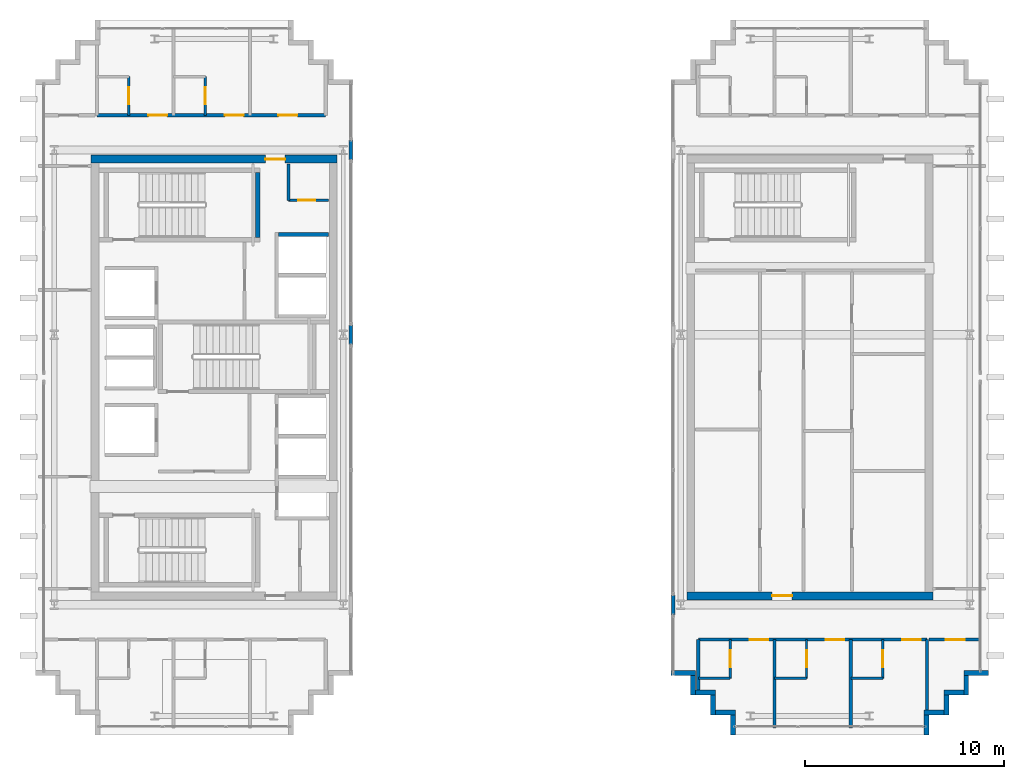
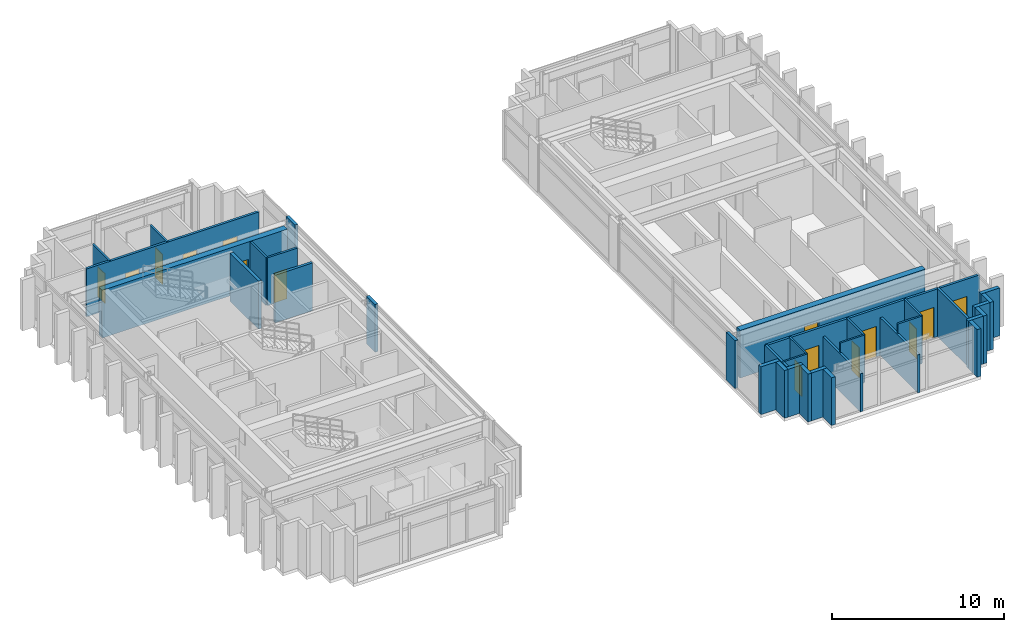
# One storey, part 21 of 25: 36 walls, 15 doors, 15 openings.
"""IFC4 building model written with IfcOpenShell, lengths in metres."""

from ifc_helpers import new_model, si_unit, direction, frame, frame_2d, origin, place, context, subcontext, project, spatial, rectangle, extrude, source, transform, mapped, material, layer, layer_set, type_object, element, fill, save


model = new_model("IFC4")

# Units and contexts
model_context = context("Model", 3, precision=1e-05, world=origin(), true_north=direction((0.0, 1.0)))
body_context = subcontext(model_context, "Body", "Model", "MODEL_VIEW")
ifc_project = project(units=[si_unit("LENGTHUNIT", "METRE"), si_unit("AREAUNIT", "SQUARE_METRE"), si_unit("VOLUMEUNIT", "CUBIC_METRE"), si_unit("PLANEANGLEUNIT", "RADIAN"), si_unit("MASSUNIT", "GRAM", prefix="KILO")], contexts=[model_context])

# Site, building, storey
site_placement = place(None, origin())
site = spatial("IfcSite", under=ifc_project, at=site_placement, CompositionType="ELEMENT")
building_placement = place(site_placement, origin())
building = spatial("IfcBuilding", under=site, at=building_placement, Name="Ocotamira Hotel", CompositionType="ELEMENT")
storey_placement = place(building_placement, frame((0.0, 0.0, 265.199951171875)))
storey = spatial("IfcBuildingStorey", under=building, at=storey_placement, Name="L67", CompositionType="ELEMENT", Elevation=265.199951171875)

# Wall, opening, door
ifc_material_1 = material(Name="Concrete C50/60", Category="concrete")
ifc_layer_1 = layer(ifc_material_1, 0.39990234375)
ifc_layer_set_1 = layer_set([ifc_layer_1], Name="Concrete C50/60")
wall_type_1 = type_object("IfcWallType", Name="WL-CORE-400", PredefinedType="SHEAR", material=ifc_layer_set_1)
wall_1_placement = place(storey_placement, frame((10.800048828125, 37.0, 0.0), z_axis=(0.0, 0.0, 1.0), x_axis=(1.0, 0.0, 0.0)))
wall_1 = element("IfcWall", 1, at=wall_1_placement, inside=storey, type_object=wall_type_1, Name="L67 Shear Core Wall WCORE-N", PredefinedType="SHEAR", context=body_context, shape_type="SweptSolid", body=[
    extrude(rectangle(XDim=12.39990234375, YDim=0.39990234375, at=frame_2d((6.199951171875, 0.0))), origin(), (0.0, 0.0, 1.0), 3.380126953125),
])
opening_1_placement = place(wall_1_placement, frame((8.780029296875, 0.0, 0.0)))
opening_1 = element("IfcOpeningElement", 2, at=opening_1_placement, cuts=wall_1, Name="Opening D-FR2", PredefinedType="OPENING", context=body_context, shape_type="SweptSolid", body=[
    extrude(rectangle(XDim=1.0, YDim=2.14990234375, at=frame_2d((0.5, 1.074951171875))), frame((0.0, 0.2099609375, 0.0), z_axis=(0.0, -1.0, 0.0), x_axis=(1.0, 0.0, 0.0)), (0.0, 0.0, 1.0), 0.419921875),
])
ifc_material_2 = material(Name="Fire-rated acoustic timber-veneer door", Category="wood")
door_type_1 = type_object("IfcDoorType", Name="DR-FIRE-1000", OperationType="NOTDEFINED", PredefinedType="DOOR", material=ifc_material_2)
shared_shape_1 = source(origin(), body_context, "Body", "SweptSolid", [
    extrude(rectangle(XDim=1.0, YDim=2.14990234375, at=frame_2d((0.5, 1.074951171875))), frame((0.0, 0.02490234375, 0.0), z_axis=(0.0, -1.0, 0.0), x_axis=(1.0, 0.0, 0.0)), (0.0, 0.0, 1.0), 0.050048828125),
])
door_1_placement = place(opening_1_placement, origin())
door_1 = element("IfcDoor", 3, at=door_1_placement, inside=storey, type_object=door_type_1, Name="L67 Door ID-L67-WLOB-N-D [ID-L67-WLOB-N-D]", OperationType="SINGLE_SWING_RIGHT", OverallHeight=2.14990234375, OverallWidth=1.0, PredefinedType="DOOR", context=body_context, shape_type="MappedRepresentation", body=[
    mapped(shared_shape_1, transform((0.0, 0.0, 0.0), scale=1.0)),
])
fill(opening_1, door_1)

wall_2_placement = place(storey_placement, frame((40.800048828125, 15.0, 0.0), z_axis=(0.0, 0.0, 1.0), x_axis=(1.0, 0.0, 0.0)))
wall_2 = element("IfcWall", 4, at=wall_2_placement, inside=storey, type_object=wall_type_1, Name="L67 Shear Core Wall ECORE-S", PredefinedType="SHEAR", context=body_context, shape_type="SweptSolid", body=[
    extrude(rectangle(XDim=12.39990234375, YDim=0.39990234375, at=frame_2d((6.199951171875, 0.0))), origin(), (0.0, 0.0, 1.0), 3.380126953125),
])
opening_2_placement = place(wall_2_placement, frame((4.300048828125, 0.0, 0.0)))
opening_2 = element("IfcOpeningElement", 5, at=opening_2_placement, cuts=wall_2, Name="Opening D-FR2", PredefinedType="OPENING", context=body_context, shape_type="SweptSolid", body=[
    extrude(rectangle(XDim=1.0, YDim=2.14990234375, at=frame_2d((0.5, 1.074951171875))), frame((0.0, 0.2099609375, 0.0), z_axis=(0.0, -1.0, 0.0), x_axis=(1.0, 0.0, 0.0)), (0.0, 0.0, 1.0), 0.419921875),
])
door_2_placement = place(opening_2_placement, origin())
door_2 = element("IfcDoor", 6, at=door_2_placement, inside=storey, type_object=door_type_1, Name="L67 Door ID-L67-ELOB-S-D [ID-L67-ELOB-S-D]", OperationType="SINGLE_SWING_RIGHT", OverallHeight=2.14990234375, OverallWidth=1.0, PredefinedType="DOOR", context=body_context, shape_type="MappedRepresentation", body=[
    mapped(shared_shape_1, transform((0.0, 0.0, 0.0), scale=1.0)),
])
fill(opening_2, door_2)

# Walls
ifc_material_3 = material(Name="Precast concrete C45/55", Category="concrete")
ifc_layer_2 = layer(ifc_material_3, 0.25)
ifc_layer_set_2 = layer_set([ifc_layer_2], Name="Precast concrete C45/55")
wall_type_2 = type_object("IfcWallType", Name="WL-EXT-SER-250", PredefinedType="SOLIDWALL", material=ifc_layer_set_2)
for number, where, z_axis, x_axis, name in (
    (7, (52.875, 8.0, 0.0), (0.0, 0.0, 1.0), (0.0, 1.0, 0.0), "L67 -E Serrated Corner Wall 01"),
    (8, (52.75, 9.125, 0.0), (0.0, 0.0, 1.0), (1.0, 0.0, 0.0), "L67 -E Serrated Corner Wall 02"),
    (9, (53.875, 9.0, 0.0), (0.0, 0.0, 1.0), (0.0, 1.0, 0.0), "L67 -E Serrated Corner Wall 03"),
    (10, (53.75, 10.125, 0.0), (0.0, 0.0, 1.0), (1.0, 0.0, 0.0), "L67 -E Serrated Corner Wall 04"),
    (11, (54.875, 10.0, 0.0), (0.0, 0.0, 1.0), (0.0, 1.0, 0.0), "L67 -E Serrated Corner Wall 05"),
):
    element("IfcWall", number, at=place(storey_placement, frame(where, z_axis=z_axis, x_axis=x_axis)), inside=storey, type_object=wall_type_2, Name=name, PredefinedType="SOLIDWALL", context=body_context, shape_type="SweptSolid", body=[
        extrude(rectangle(XDim=1.0, YDim=0.25, at=frame_2d((0.5, 0.0))), origin(), (0.0, 0.0, 1.0), 3.380126953125),
    ])
for number, where, z_axis, x_axis, name in (
    (12, (54.75, 11.125, 0.0), (0.0, 0.0, 1.0), (1.0, 0.0, 0.0), "L67 -E Serrated Corner Wall 06"),
    (13, (40.0, 11.125, 0.0), (0.0, 0.0, 1.0), (1.0, 0.0, 0.0), "L67 -E Serrated Corner Wall 19"),
):
    element("IfcWall", number, at=place(storey_placement, frame(where, z_axis=z_axis, x_axis=x_axis)), inside=storey, type_object=wall_type_2, Name=name, PredefinedType="SOLIDWALL", context=body_context, shape_type="SweptSolid", body=[
        extrude(rectangle(XDim=1.25, YDim=0.25, at=frame_2d((0.625, 0.0))), origin(), (0.0, 0.0, 1.0), 3.380126953125),
    ])
for number, where, z_axis, x_axis, name in (
    (14, (41.125, 11.0, 0.0), (0.0, 0.0, 1.0), (0.0, -1.0, 0.0), "L67 -E Serrated Corner Wall 20"),
    (15, (41.25, 10.125, 0.0), (0.0, 0.0, 1.0), (1.0, 0.0, 0.0), "L67 -E Serrated Corner Wall 21"),
    (16, (42.125, 10.0, 0.0), (0.0, 0.0, 1.0), (0.0, -1.0, 0.0), "L67 -E Serrated Corner Wall 22"),
    (17, (42.25, 9.125, 0.0), (0.0, 0.0, 1.0), (1.0, 0.0, 0.0), "L67 -E Serrated Corner Wall 23"),
    (18, (43.125, 9.0, 0.0), (0.0, 0.0, 1.0), (0.0, -1.0, 0.0), "L67 -E Serrated Corner Wall 24"),
):
    element("IfcWall", number, at=place(storey_placement, frame(where, z_axis=z_axis, x_axis=x_axis)), inside=storey, type_object=wall_type_2, Name=name, PredefinedType="SOLIDWALL", context=body_context, shape_type="SweptSolid", body=[
        extrude(rectangle(XDim=1.0, YDim=0.25, at=frame_2d((0.5, 0.0))), origin(), (0.0, 0.0, 1.0), 3.380126953125),
    ])

# Wall, openings, doors
ifc_material_4 = material(Name="Acoustic double-layer fire gypsum board partition", Category="gypsum")
ifc_layer_3 = layer(ifc_material_4, 0.159912109375)
ifc_layer_set_3 = layer_set([ifc_layer_3], Name="Acoustic double-layer fire gypsum board partition")
wall_type_3 = type_object("IfcWallType", Name="WL-FIRE-160", PredefinedType="PARTITIONING", material=ifc_layer_set_3)
wall_3_placement = place(storey_placement, frame((11.10009765625, 39.199951171875, 0.0), z_axis=(0.0, 0.0, 1.0), x_axis=(1.0, 0.0, 0.0)))
wall_3 = element("IfcWall", 19, at=wall_3_placement, inside=storey, type_object=wall_type_3, Name="L67 Interior Wall PW-L67-SPW2N-CORRW", PredefinedType="PARTITIONING", context=body_context, shape_type="SweptSolid", body=[
    extrude(rectangle(XDim=11.52001953125, YDim=0.159912109375, at=frame_2d((5.760009765625, 0.0))), origin(), (0.0, 0.0, 1.0), 3.380126953125),
])
opening_3_placement = place(wall_3_placement, frame((2.590087890625, 0.0, 0.0)))
opening_3 = element("IfcOpeningElement", 20, at=opening_3_placement, cuts=wall_3, Name="Opening D-GR1", PredefinedType="OPENING", context=body_context, shape_type="SweptSolid", body=[
    extrude(rectangle(XDim=0.93994140625, YDim=2.14990234375, at=frame_2d((0.469970703125, 1.074951171875))), frame((0.0, 0.08984375, 0.0), z_axis=(0.0, -1.0, 0.0), x_axis=(1.0, 0.0, 0.0)), (0.0, 0.0, 1.0), 0.179931640625),
])
opening_4_placement = place(wall_3_placement, frame((6.43994140625, 0.0, 0.0)))
opening_4 = element("IfcOpeningElement", 21, at=opening_4_placement, cuts=wall_3, Name="Opening D-GR1", PredefinedType="OPENING", context=body_context, shape_type="SweptSolid", body=[
    extrude(rectangle(XDim=0.93994140625, YDim=2.14990234375, at=frame_2d((0.469970703125, 1.074951171875))), frame((0.0, 0.08984375, 0.0), z_axis=(0.0, -1.0, 0.0), x_axis=(1.0, 0.0, 0.0)), (0.0, 0.0, 1.0), 0.179931640625),
])
opening_5_placement = place(wall_3_placement, frame((9.1298828125, 0.0, 0.0)))
opening_5 = element("IfcOpeningElement", 22, at=opening_5_placement, cuts=wall_3, Name="Opening D-SV4", PredefinedType="OPENING", context=body_context, shape_type="SweptSolid", body=[
    extrude(rectangle(XDim=0.9599609375, YDim=2.14990234375, at=frame_2d((0.47998046875, 1.074951171875))), frame((0.0, 0.08984375, 0.0), z_axis=(0.0, -1.0, 0.0), x_axis=(1.0, 0.0, 0.0)), (0.0, 0.0, 1.0), 0.179931640625),
])
ifc_material_5 = material(Name="Fire-rated accessible walnut salon door", Category="wood")
door_type_2 = type_object("IfcDoorType", Name="DR-SERV-960", OperationType="NOTDEFINED", PredefinedType="DOOR", material=ifc_material_5)
shared_shape_2 = source(origin(), body_context, "Body", "SweptSolid", [
    extrude(rectangle(XDim=0.9599609375, YDim=2.14990234375, at=frame_2d((0.47998046875, 1.074951171875))), frame((0.0, 0.02490234375, 0.0), z_axis=(0.0, -1.0, 0.0), x_axis=(1.0, 0.0, 0.0)), (0.0, 0.0, 1.0), 0.050048828125),
])
door_3_placement = place(opening_5_placement, origin())
door_3 = element("IfcDoor", 23, at=door_3_placement, inside=storey, type_object=door_type_2, Name="L67 Door ID-L67-SPW2N-AMD3 [ID-L67-SPW2N-AMD3]", OperationType="SINGLE_SWING_LEFT", OverallHeight=2.14990234375, OverallWidth=0.9599609375, PredefinedType="DOOR", context=body_context, shape_type="MappedRepresentation", body=[
    mapped(shared_shape_2, transform((0.0, 0.0, 0.0), scale=1.0)),
])
fill(opening_5, door_3)
ifc_material_6 = material(Name="Solid-core walnut suite entrance fire door", Category="wood")
door_type_3 = type_object("IfcDoorType", Name="DR-GUEST-940", OperationType="NOTDEFINED", PredefinedType="DOOR", material=ifc_material_6)
shared_shape_3 = source(origin(), body_context, "Body", "SweptSolid", [
    extrude(rectangle(XDim=0.93994140625, YDim=2.14990234375, at=frame_2d((0.469970703125, 1.074951171875))), frame((0.0, 0.02490234375, 0.0), z_axis=(0.0, -1.0, 0.0), x_axis=(1.0, 0.0, 0.0)), (0.0, 0.0, 1.0), 0.050048828125),
])
door_4_placement = place(opening_3_placement, origin())
door_4 = element("IfcDoor", 24, at=door_4_placement, inside=storey, type_object=door_type_3, Name="L67 Door ID-L67-SPW2N-RMD1 [ID-L67-SPW2N-RMD1]", OperationType="SINGLE_SWING_LEFT", OverallHeight=2.14990234375, OverallWidth=0.93994140625, PredefinedType="DOOR", context=body_context, shape_type="MappedRepresentation", body=[
    mapped(shared_shape_3, transform((0.0, 0.0, 0.0), scale=1.0)),
])
fill(opening_3, door_4)
door_5_placement = place(opening_4_placement, origin())
door_5 = element("IfcDoor", 25, at=door_5_placement, inside=storey, type_object=door_type_3, Name="L67 Door ID-L67-SPW2N-RMD2 [ID-L67-SPW2N-RMD2]", OperationType="SINGLE_SWING_RIGHT", OverallHeight=2.14990234375, OverallWidth=0.93994140625, PredefinedType="DOOR", context=body_context, shape_type="MappedRepresentation", body=[
    mapped(shared_shape_3, transform((0.0, 0.0, 0.0), scale=1.0)),
])
fill(opening_4, door_5)

wall_4_placement = place(storey_placement, frame((41.3798828125, 12.800048828125, 0.0), z_axis=(0.0, 0.0, 1.0), x_axis=(1.0, 0.0, 0.0)))
wall_4 = element("IfcWall", 26, at=wall_4_placement, inside=storey, type_object=wall_type_3, Name="L67 Interior Wall PW-L67-SPE2S-CORRW", PredefinedType="PARTITIONING", context=body_context, shape_type="SweptSolid", body=[
    extrude(rectangle(XDim=11.52001953125, YDim=0.159912109375, at=frame_2d((5.760009765625, 0.0))), origin(), (0.0, 0.0, 1.0), 3.380126953125),
])
opening_6_placement = place(wall_4_placement, frame((2.580078125, 0.0, 0.0)))
opening_6 = element("IfcOpeningElement", 27, at=opening_6_placement, cuts=wall_4, Name="Opening D-GR1", PredefinedType="OPENING", context=body_context, shape_type="SweptSolid", body=[
    extrude(rectangle(XDim=0.93994140625, YDim=2.14990234375, at=frame_2d((0.469970703125, 1.074951171875))), frame((0.0, 0.08984375, 0.0), z_axis=(0.0, -1.0, 0.0), x_axis=(1.0, 0.0, 0.0)), (0.0, 0.0, 1.0), 0.179931640625),
])
opening_7_placement = place(wall_4_placement, frame((6.419921875, 0.0, 0.0)))
opening_7 = element("IfcOpeningElement", 28, at=opening_7_placement, cuts=wall_4, Name="Opening D-GR1", PredefinedType="OPENING", context=body_context, shape_type="SweptSolid", body=[
    extrude(rectangle(XDim=0.93994140625, YDim=2.14990234375, at=frame_2d((0.469970703125, 1.074951171875))), frame((0.0, 0.08984375, 0.0), z_axis=(0.0, -1.0, 0.0), x_axis=(1.0, 0.0, 0.0)), (0.0, 0.0, 1.0), 0.179931640625),
])
opening_8_placement = place(wall_4_placement, frame((10.260009765625, 0.0, 0.0)))
opening_8 = element("IfcOpeningElement", 29, at=opening_8_placement, cuts=wall_4, Name="Opening D-GR1", PredefinedType="OPENING", context=body_context, shape_type="SweptSolid", body=[
    extrude(rectangle(XDim=0.93994140625, YDim=2.14990234375, at=frame_2d((0.469970703125, 1.074951171875))), frame((0.0, 0.08984375, 0.0), z_axis=(0.0, -1.0, 0.0), x_axis=(1.0, 0.0, 0.0)), (0.0, 0.0, 1.0), 0.179931640625),
])
door_6_placement = place(opening_6_placement, origin())
door_6 = element("IfcDoor", 30, at=door_6_placement, inside=storey, type_object=door_type_3, Name="L67 Door ID-L67-SPE2S-RMD1 [ID-L67-SPE2S-RMD1]", OperationType="SINGLE_SWING_LEFT", OverallHeight=2.14990234375, OverallWidth=0.93994140625, PredefinedType="DOOR", context=body_context, shape_type="MappedRepresentation", body=[
    mapped(shared_shape_3, transform((0.0, 0.0, 0.0), scale=1.0)),
])
fill(opening_6, door_6)
door_7_placement = place(opening_7_placement, origin())
door_7 = element("IfcDoor", 31, at=door_7_placement, inside=storey, type_object=door_type_3, Name="L67 Door ID-L67-SPE2S-RMD2 [ID-L67-SPE2S-RMD2]", OperationType="SINGLE_SWING_RIGHT", OverallHeight=2.14990234375, OverallWidth=0.93994140625, PredefinedType="DOOR", context=body_context, shape_type="MappedRepresentation", body=[
    mapped(shared_shape_3, transform((0.0, 0.0, 0.0), scale=1.0)),
])
fill(opening_7, door_7)
door_8_placement = place(opening_8_placement, origin())
door_8 = element("IfcDoor", 32, at=door_8_placement, inside=storey, type_object=door_type_3, Name="L67 Door ID-L67-SPE2S-RMD3 [ID-L67-SPE2S-RMD3]", OperationType="SINGLE_SWING_LEFT", OverallHeight=2.14990234375, OverallWidth=0.93994140625, PredefinedType="DOOR", context=body_context, shape_type="MappedRepresentation", body=[
    mapped(shared_shape_3, transform((0.0, 0.0, 0.0), scale=1.0)),
])
fill(opening_8, door_8)

# Wall, opening, door
wall_5_placement = place(storey_placement, frame((53.0, 12.800048828125, 0.0), z_axis=(0.0, 0.0, 1.0), x_axis=(1.0, 0.0, 0.0)))
wall_5 = element("IfcWall", 33, at=wall_5_placement, inside=storey, type_object=wall_type_3, Name="L67 Interior Wall PW-L67-SPCSE2-CW", PredefinedType="PARTITIONING", context=body_context, shape_type="SweptSolid", body=[
    extrude(rectangle(XDim=2.64990234375, YDim=0.159912109375, at=frame_2d((1.324951171875, 0.0))), origin(), (0.0, 0.0, 1.0), 3.380126953125),
])
opening_9_placement = place(wall_5_placement, frame((0.844970703125, 0.0, 0.0)))
opening_9 = element("IfcOpeningElement", 34, at=opening_9_placement, cuts=wall_5, Name="Opening D-SV4", PredefinedType="OPENING", context=body_context, shape_type="SweptSolid", body=[
    extrude(rectangle(XDim=0.9599609375, YDim=2.14990234375, at=frame_2d((0.47998046875, 1.074951171875))), frame((0.0, 0.08984375, 0.0), z_axis=(0.0, -1.0, 0.0), x_axis=(1.0, 0.0, 0.0)), (0.0, 0.0, 1.0), 0.179931640625),
])
door_9_placement = place(opening_9_placement, origin())
door_9 = element("IfcDoor", 35, at=door_9_placement, inside=storey, type_object=door_type_2, Name="L67 Door ID-L67-SPCSE2-CD [ID-L67-SPCSE2-CD]", OperationType="SINGLE_SWING_LEFT", OverallHeight=2.14990234375, OverallWidth=0.9599609375, PredefinedType="DOOR", context=body_context, shape_type="MappedRepresentation", body=[
    mapped(shared_shape_2, transform((0.0, 0.0, 0.0), scale=1.0)),
])
fill(opening_9, door_9)

# Walls
ifc_layer_4 = layer(ifc_material_3, 0.219970703125)
ifc_layer_set_4 = layer_set([ifc_layer_4], Name="Precast concrete C45/55")
wall_type_4 = type_object("IfcWallType", Name="WL-PARA-220", PredefinedType="PARAPET", material=ifc_layer_set_4)
for number, where, z_axis, x_axis, name in (
    (36, (23.8798828125, 27.64990234375, 0.0), (0.0, 0.0, 1.0), (0.0, 1.0, 0.0), "L67 Split-Wing Column Spandrel Closure W2"),
    (37, (23.8798828125, 36.949951171875, 0.0), (0.0, 0.0, 1.0), (0.0, 1.0, 0.0), "L67 Split-Wing Column Spandrel Closure W3"),
    (38, (40.1201171875, 14.050048828125, 0.0), (0.0, 0.0, 1.0), (0.0, 1.0, 0.0), "L67 Split-Wing Column Spandrel Closure E1"),
):
    element("IfcWall", number, at=place(storey_placement, frame(where, z_axis=z_axis, x_axis=x_axis)), inside=storey, type_object=wall_type_4, Name=name, PredefinedType="PARAPET", context=body_context, shape_type="SweptSolid", body=[
        extrude(rectangle(XDim=1.0, YDim=0.199951171875, at=frame_2d((0.5, 0.0))), origin(), (0.0, 0.0, 1.0), 3.380126953125),
    ])

# Wall, opening, door
ifc_material_7 = material(Name="Moisture-resistant en-suite tile and gypsum partition", Category="gypsum")
ifc_layer_5 = layer(ifc_material_7, 0.1201171875)
ifc_layer_set_5 = layer_set([ifc_layer_5], Name="Moisture-resistant en-suite tile and gypsum partition")
wall_type_5 = type_object("IfcWallType", Name="WL-PART-120", PredefinedType="PARTITIONING", material=ifc_layer_set_5)
wall_6_placement = place(storey_placement, frame((12.7099609375, 39.199951171875, 0.0), z_axis=(0.0, 0.0, 1.0), x_axis=(0.0, 1.0, 0.0)))
wall_6 = element("IfcWall", 39, at=wall_6_placement, inside=storey, type_object=wall_type_5, Name="L67 Interior Wall PW-L67-SPW2N-BAE1", PredefinedType="PARTITIONING", context=body_context, shape_type="SweptSolid", body=[
    extrude(rectangle(XDim=1.949951171875, YDim=0.1201171875, at=frame_2d((0.97509765625, 0.0))), origin(), (0.0, 0.0, 1.0), 3.380126953125),
])
opening_10_placement = place(wall_6_placement, frame((0.544921875, 0.0, 0.0)))
opening_10 = element("IfcOpeningElement", 40, at=opening_10_placement, cuts=wall_6, Name="Opening D-BA1", PredefinedType="OPENING", context=body_context, shape_type="SweptSolid", body=[
    extrude(rectangle(XDim=0.860107421875, YDim=2.10009765625, at=frame_2d((0.43017578125, 1.050048828125))), frame((0.0, 0.070068359375, 0.0), z_axis=(0.0, -1.0, 0.0), x_axis=(1.0, 0.0, 0.0)), (0.0, 0.0, 1.0), 0.14013671875),
])
ifc_material_8 = material(Name="Moisture-sealed en-suite timber door", Category="wood")
door_type_4 = type_object("IfcDoorType", Name="DR-BATH-860", OperationType="NOTDEFINED", PredefinedType="DOOR", material=ifc_material_8)
shared_shape_4 = source(origin(), body_context, "Body", "SweptSolid", [
    extrude(rectangle(XDim=0.860107421875, YDim=2.10009765625, at=frame_2d((0.43017578125, 1.050048828125))), frame((0.0, 0.02490234375, 0.0), z_axis=(0.0, -1.0, 0.0), x_axis=(1.0, 0.0, 0.0)), (0.0, 0.0, 1.0), 0.050048828125),
])
door_10_placement = place(opening_10_placement, origin())
door_10 = element("IfcDoor", 41, at=door_10_placement, inside=storey, type_object=door_type_4, Name="L67 Door ID-L67-SPW2N-BAD1 [ID-L67-SPW2N-BAD1]", OperationType="SINGLE_SWING_RIGHT", OverallHeight=2.10009765625, OverallWidth=0.860107421875, PredefinedType="DOOR", context=body_context, shape_type="MappedRepresentation", body=[
    mapped(shared_shape_4, transform((0.0, 0.0, 0.0), scale=1.0)),
])
fill(opening_10, door_10)

wall_7_placement = place(storey_placement, frame((16.56005859375, 39.199951171875, 0.0), z_axis=(0.0, 0.0, 1.0), x_axis=(0.0, 1.0, 0.0)))
wall_7 = element("IfcWall", 42, at=wall_7_placement, inside=storey, type_object=wall_type_5, Name="L67 Interior Wall PW-L67-SPW2N-BAE2", PredefinedType="PARTITIONING", context=body_context, shape_type="SweptSolid", body=[
    extrude(rectangle(XDim=1.949951171875, YDim=0.1201171875, at=frame_2d((0.97509765625, 0.0))), origin(), (0.0, 0.0, 1.0), 3.380126953125),
])
opening_11_placement = place(wall_7_placement, frame((0.544921875, 0.0, 0.0)))
opening_11 = element("IfcOpeningElement", 43, at=opening_11_placement, cuts=wall_7, Name="Opening D-BA1", PredefinedType="OPENING", context=body_context, shape_type="SweptSolid", body=[
    extrude(rectangle(XDim=0.860107421875, YDim=2.10009765625, at=frame_2d((0.43017578125, 1.050048828125))), frame((0.0, 0.070068359375, 0.0), z_axis=(0.0, -1.0, 0.0), x_axis=(1.0, 0.0, 0.0)), (0.0, 0.0, 1.0), 0.14013671875),
])
door_11_placement = place(opening_11_placement, origin())
door_11 = element("IfcDoor", 44, at=door_11_placement, inside=storey, type_object=door_type_4, Name="L67 Door ID-L67-SPW2N-BAD2 [ID-L67-SPW2N-BAD2]", OperationType="SINGLE_SWING_LEFT", OverallHeight=2.10009765625, OverallWidth=0.860107421875, PredefinedType="DOOR", context=body_context, shape_type="MappedRepresentation", body=[
    mapped(shared_shape_4, transform((0.0, 0.0, 0.0), scale=1.0)),
])
fill(opening_11, door_11)

wall_8_placement = place(storey_placement, frame((42.989990234375, 10.85009765625, 0.0), z_axis=(0.0, 0.0, 1.0), x_axis=(0.0, 1.0, 0.0)))
wall_8 = element("IfcWall", 45, at=wall_8_placement, inside=storey, type_object=wall_type_5, Name="L67 Interior Wall PW-L67-SPE2S-BAE1", PredefinedType="PARTITIONING", context=body_context, shape_type="SweptSolid", body=[
    extrude(rectangle(XDim=1.949951171875, YDim=0.1201171875, at=frame_2d((0.97509765625, 0.0))), origin(), (0.0, 0.0, 1.0), 3.380126953125),
])
opening_12_placement = place(wall_8_placement, frame((0.544921875, 0.0, 0.0)))
opening_12 = element("IfcOpeningElement", 46, at=opening_12_placement, cuts=wall_8, Name="Opening D-BA1", PredefinedType="OPENING", context=body_context, shape_type="SweptSolid", body=[
    extrude(rectangle(XDim=0.860107421875, YDim=2.10009765625, at=frame_2d((0.43017578125, 1.050048828125))), frame((0.0, 0.070068359375, 0.0), z_axis=(0.0, -1.0, 0.0), x_axis=(1.0, 0.0, 0.0)), (0.0, 0.0, 1.0), 0.14013671875),
])
door_12_placement = place(opening_12_placement, origin())
door_12 = element("IfcDoor", 47, at=door_12_placement, inside=storey, type_object=door_type_4, Name="L67 Door ID-L67-SPE2S-BAD1 [ID-L67-SPE2S-BAD1]", OperationType="SINGLE_SWING_RIGHT", OverallHeight=2.10009765625, OverallWidth=0.860107421875, PredefinedType="DOOR", context=body_context, shape_type="MappedRepresentation", body=[
    mapped(shared_shape_4, transform((0.0, 0.0, 0.0), scale=1.0)),
])
fill(opening_12, door_12)

# Wall
wall_9_placement = place(storey_placement, frame((41.3798828125, 10.85009765625, 0.0), z_axis=(0.0, 0.0, 1.0), x_axis=(1.0, 0.0, 0.0)))
element("IfcWall", 48, at=wall_9_placement, inside=storey, type_object=wall_type_5, Name="L67 Interior Wall PW-L67-SPE2S-BAS1", PredefinedType="PARTITIONING", context=body_context, shape_type="SweptSolid", body=[
    extrude(rectangle(XDim=1.610107421875, YDim=0.1201171875, at=frame_2d((0.80517578125, 0.0))), origin(), (0.0, 0.0, 1.0), 3.380126953125),
])

# Wall, opening, door
wall_10_placement = place(storey_placement, frame((46.830078125, 10.85009765625, 0.0), z_axis=(0.0, 0.0, 1.0), x_axis=(0.0, 1.0, 0.0)))
wall_10 = element("IfcWall", 49, at=wall_10_placement, inside=storey, type_object=wall_type_5, Name="L67 Interior Wall PW-L67-SPE2S-BAE2", PredefinedType="PARTITIONING", context=body_context, shape_type="SweptSolid", body=[
    extrude(rectangle(XDim=1.949951171875, YDim=0.1201171875, at=frame_2d((0.97509765625, 0.0))), origin(), (0.0, 0.0, 1.0), 3.380126953125),
])
opening_13_placement = place(wall_10_placement, frame((0.544921875, 0.0, 0.0)))
opening_13 = element("IfcOpeningElement", 50, at=opening_13_placement, cuts=wall_10, Name="Opening D-BA1", PredefinedType="OPENING", context=body_context, shape_type="SweptSolid", body=[
    extrude(rectangle(XDim=0.860107421875, YDim=2.10009765625, at=frame_2d((0.43017578125, 1.050048828125))), frame((0.0, 0.070068359375, 0.0), z_axis=(0.0, -1.0, 0.0), x_axis=(1.0, 0.0, 0.0)), (0.0, 0.0, 1.0), 0.14013671875),
])
door_13_placement = place(opening_13_placement, origin())
door_13 = element("IfcDoor", 51, at=door_13_placement, inside=storey, type_object=door_type_4, Name="L67 Door ID-L67-SPE2S-BAD2 [ID-L67-SPE2S-BAD2]", OperationType="SINGLE_SWING_LEFT", OverallHeight=2.10009765625, OverallWidth=0.860107421875, PredefinedType="DOOR", context=body_context, shape_type="MappedRepresentation", body=[
    mapped(shared_shape_4, transform((0.0, 0.0, 0.0), scale=1.0)),
])
fill(opening_13, door_13)

# Wall
wall_11_placement = place(storey_placement, frame((45.219970703125, 10.85009765625, 0.0), z_axis=(0.0, 0.0, 1.0), x_axis=(1.0, 0.0, 0.0)))
element("IfcWall", 52, at=wall_11_placement, inside=storey, type_object=wall_type_5, Name="L67 Interior Wall PW-L67-SPE2S-BAS2", PredefinedType="PARTITIONING", context=body_context, shape_type="SweptSolid", body=[
    extrude(rectangle(XDim=1.610107421875, YDim=0.1201171875, at=frame_2d((0.80517578125, 0.0))), origin(), (0.0, 0.0, 1.0), 3.380126953125),
])

# Wall, opening, door
wall_12_placement = place(storey_placement, frame((50.669921875, 10.85009765625, 0.0), z_axis=(0.0, 0.0, 1.0), x_axis=(0.0, 1.0, 0.0)))
wall_12 = element("IfcWall", 53, at=wall_12_placement, inside=storey, type_object=wall_type_5, Name="L67 Interior Wall PW-L67-SPE2S-BAE3", PredefinedType="PARTITIONING", context=body_context, shape_type="SweptSolid", body=[
    extrude(rectangle(XDim=1.949951171875, YDim=0.1201171875, at=frame_2d((0.97509765625, 0.0))), origin(), (0.0, 0.0, 1.0), 3.380126953125),
])
opening_14_placement = place(wall_12_placement, frame((0.544921875, 0.0, 0.0)))
opening_14 = element("IfcOpeningElement", 54, at=opening_14_placement, cuts=wall_12, Name="Opening D-BA1", PredefinedType="OPENING", context=body_context, shape_type="SweptSolid", body=[
    extrude(rectangle(XDim=0.860107421875, YDim=2.10009765625, at=frame_2d((0.43017578125, 1.050048828125))), frame((0.0, 0.070068359375, 0.0), z_axis=(0.0, -1.0, 0.0), x_axis=(1.0, 0.0, 0.0)), (0.0, 0.0, 1.0), 0.14013671875),
])
door_14_placement = place(opening_14_placement, origin())
door_14 = element("IfcDoor", 55, at=door_14_placement, inside=storey, type_object=door_type_4, Name="L67 Door ID-L67-SPE2S-BAD3 [ID-L67-SPE2S-BAD3]", OperationType="SINGLE_SWING_RIGHT", OverallHeight=2.10009765625, OverallWidth=0.860107421875, PredefinedType="DOOR", context=body_context, shape_type="MappedRepresentation", body=[
    mapped(shared_shape_4, transform((0.0, 0.0, 0.0), scale=1.0)),
])
fill(opening_14, door_14)

# Walls
wall_13_placement = place(storey_placement, frame((49.06005859375, 10.85009765625, 0.0), z_axis=(0.0, 0.0, 1.0), x_axis=(1.0, 0.0, 0.0)))
element("IfcWall", 56, at=wall_13_placement, inside=storey, type_object=wall_type_5, Name="L67 Interior Wall PW-L67-SPE2S-BAS3", PredefinedType="PARTITIONING", context=body_context, shape_type="SweptSolid", body=[
    extrude(rectangle(XDim=1.60986328125, YDim=0.1201171875, at=frame_2d((0.804931640625, 0.0))), origin(), (0.0, 0.0, 1.0), 3.380126953125),
])
ifc_material_9 = material(Name="Acoustic hospitality gypsum board partition", Category="gypsum")
ifc_layer_6 = layer(ifc_material_9, 0.14208984375)
ifc_layer_set_6 = layer_set([ifc_layer_6], Name="Acoustic hospitality gypsum board partition")
wall_type_6 = type_object("IfcWallType", Name="WL-PART-142", PredefinedType="PARTITIONING", material=ifc_layer_set_6)
wall_14_placement = place(storey_placement, frame((20.739990234375, 34.919921875, 0.0), z_axis=(0.0, 0.0, 1.0), x_axis=(0.0, 1.0, 0.0)))
element("IfcWall", 57, at=wall_14_placement, inside=storey, type_object=wall_type_6, Name="L67 Interior Wall PW-L67-WC-NE-W1", PredefinedType="PARTITIONING", context=body_context, shape_type="SweptSolid", body=[
    extrude(rectangle(XDim=1.830078125, YDim=0.14208984375, at=frame_2d((0.9150390625, 0.0))), origin(), (0.0, 0.0, 1.0), 3.380126953125),
])

# Wall, opening, door
wall_15_placement = place(storey_placement, frame((20.739990234375, 34.919921875, 0.0), z_axis=(0.0, 0.0, 1.0), x_axis=(1.0, 0.0, 0.0)))
wall_15 = element("IfcWall", 58, at=wall_15_placement, inside=storey, type_object=wall_type_6, Name="L67 Interior Wall PW-L67-WC-NE-S1", PredefinedType="PARTITIONING", context=body_context, shape_type="SweptSolid", body=[
    extrude(rectangle(XDim=2.010009765625, YDim=0.14208984375, at=frame_2d((1.0048828125, 0.0))), origin(), (0.0, 0.0, 1.0), 3.380126953125),
])
opening_15_placement = place(wall_15_placement, frame((0.5, 0.0, 0.0)))
opening_15 = element("IfcOpeningElement", 59, at=opening_15_placement, cuts=wall_15, Name="Opening D-SV1", PredefinedType="OPENING", context=body_context, shape_type="SweptSolid", body=[
    extrude(rectangle(XDim=0.840087890625, YDim=2.10009765625, at=frame_2d((0.419921875, 1.050048828125))), frame((0.0, 0.0810546875, 0.0), z_axis=(0.0, -1.0, 0.0), x_axis=(1.0, 0.0, 0.0)), (0.0, 0.0, 1.0), 0.162109375),
])
ifc_material_10 = material(Name="Fire-rated painted steel service door", Category="steel")
door_type_5 = type_object("IfcDoorType", Name="DR-SERV-840", OperationType="NOTDEFINED", PredefinedType="DOOR", material=ifc_material_10)
shared_shape_5 = source(origin(), body_context, "Body", "SweptSolid", [
    extrude(rectangle(XDim=0.840087890625, YDim=2.10009765625, at=frame_2d((0.419921875, 1.050048828125))), frame((0.0, 0.02490234375, 0.0), z_axis=(0.0, -1.0, 0.0), x_axis=(1.0, 0.0, 0.0)), (0.0, 0.0, 1.0), 0.050048828125),
])
door_15_placement = place(opening_15_placement, origin())
door_15 = element("IfcDoor", 60, at=door_15_placement, inside=storey, type_object=door_type_5, Name="L67 Door ID-L67-WC-NE-D1 [ID-L67-WC-NE-D1]", OperationType="SINGLE_SWING_LEFT", OverallHeight=2.10009765625, OverallWidth=0.840087890625, PredefinedType="DOOR", context=body_context, shape_type="MappedRepresentation", body=[
    mapped(shared_shape_5, transform((0.0, 0.0, 0.0), scale=1.0)),
])
fill(opening_15, door_15)

# Walls
ifc_material_11 = material(Name="Acoustic double-stud hospitality gypsum partition", Category="gypsum")
ifc_layer_7 = layer(ifc_material_11, 0.159912109375)
ifc_layer_set_7 = layer_set([ifc_layer_7], Name="Acoustic double-stud hospitality gypsum partition")
wall_type_7 = type_object("IfcWallType", Name="WL-PART-160", PredefinedType="PARTITIONING", material=ifc_layer_set_7)
wall_16_placement = place(storey_placement, frame((41.3798828125, 10.260009765625, 0.0), z_axis=(0.0, 0.0, 1.0), x_axis=(0.0, 1.0, 0.0)))
element("IfcWall", 61, at=wall_16_placement, inside=storey, type_object=wall_type_7, Name="L67 Interior Wall PW-L67-SPE2S-PW0", PredefinedType="PARTITIONING", context=body_context, shape_type="SweptSolid", body=[
    extrude(rectangle(XDim=2.5400390625, YDim=0.159912109375, at=frame_2d((1.27001953125, 0.0))), origin(), (0.0, 0.0, 1.0), 3.380126953125),
])
wall_17_placement = place(storey_placement, frame((52.89990234375, 9.260009765625, 0.0), z_axis=(0.0, 0.0, 1.0), x_axis=(0.0, 1.0, 0.0)))
element("IfcWall", 62, at=wall_17_placement, inside=storey, type_object=wall_type_7, Name="L67 Interior Wall PW-L67-SPE2S-PWEND", PredefinedType="PARTITIONING", context=body_context, shape_type="SweptSolid", body=[
    extrude(rectangle(XDim=3.5400390625, YDim=0.159912109375, at=frame_2d((1.77001953125, 0.0))), origin(), (0.0, 0.0, 1.0), 3.380126953125),
])
for number, where, z_axis, x_axis, name in (
    (63, (45.219970703125, 8.360107421875, 0.0), (0.0, 0.0, 1.0), (0.0, 1.0, 0.0), "L67 Interior Wall PW-L67-SPE2S-PW1"),
    (64, (49.06005859375, 8.360107421875, 0.0), (0.0, 0.0, 1.0), (0.0, 1.0, 0.0), "L67 Interior Wall PW-L67-SPE2S-PW2"),
):
    element("IfcWall", number, at=place(storey_placement, frame(where, z_axis=z_axis, x_axis=x_axis)), inside=storey, type_object=wall_type_7, Name=name, PredefinedType="PARTITIONING", context=body_context, shape_type="SweptSolid", body=[
        extrude(rectangle(XDim=4.43994140625, YDim=0.159912109375, at=frame_2d((2.219970703125, 0.0))), origin(), (0.0, 0.0, 1.0), 2.68701171875),
    ])
ifc_material_12 = material(Name="Fire-rated gypsum shaftliner board assembly", Category="gypsum")
ifc_layer_8 = layer(ifc_material_12, 0.179931640625)
ifc_layer_set_8 = layer_set([ifc_layer_8], Name="Fire-rated gypsum shaftliner board assembly")
wall_type_8 = type_object("IfcWallType", Name="WL-SHAFT-180", PredefinedType="SOLIDWALL", material=ifc_layer_set_8)
wall_18_placement = place(storey_placement, frame((20.25, 33.199951171875, 0.0), z_axis=(0.0, 0.0, 1.0), x_axis=(1.0, 0.0, 0.0)))
element("IfcWall", 65, at=wall_18_placement, inside=storey, type_object=wall_type_8, Name="L67 Interior Wall PW-L67-LFW-BANK-obs-N", PredefinedType="SOLIDWALL", context=body_context, shape_type="SweptSolid", body=[
    extrude(rectangle(XDim=2.5, YDim=0.179931640625, at=frame_2d((1.25, 0.0))), origin(), (0.0, 0.0, 1.0), 3.380126953125),
])
ifc_layer_9 = layer(ifc_material_1, 0.219970703125)
ifc_layer_set_9 = layer_set([ifc_layer_9], Name="Concrete C50/60")
wall_type_9 = type_object("IfcWallType", Name="WL-STAIR-220", PredefinedType="SHEAR", material=ifc_layer_set_9)
wall_19_placement = place(storey_placement, frame((19.199951171875, 33.050048828125, 0.0), z_axis=(0.0, 0.0, 1.0), x_axis=(0.0, 1.0, 0.0)))
element("IfcWall", 66, at=wall_19_placement, inside=storey, type_object=wall_type_9, Name="L67 Stair Shaft Structural Wall ST-2-E", PredefinedType="SHEAR", context=body_context, shape_type="SweptSolid", body=[
    extrude(rectangle(XDim=3.280029296875, YDim=0.219970703125, at=frame_2d((1.64013671875, 0.0))), origin(), (0.0, 0.0, 1.0), 3.400146484375),
])

save(model, "model.ifc")
